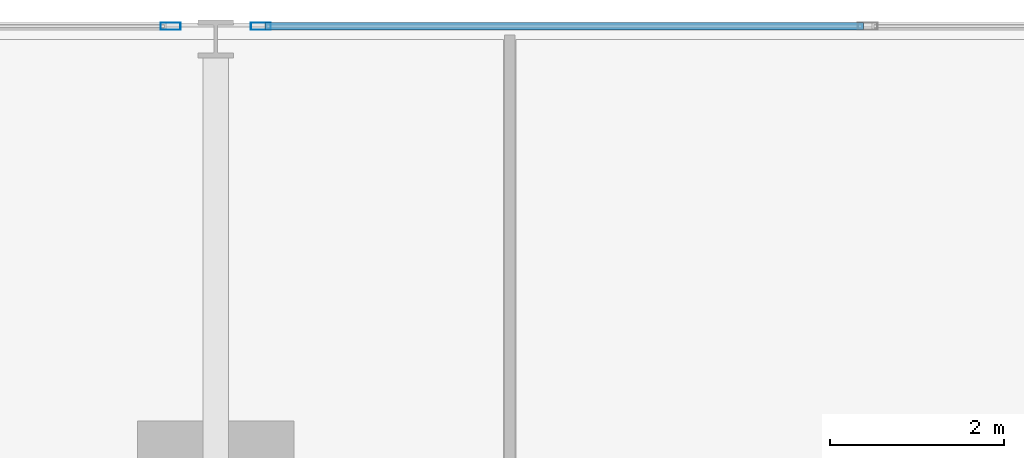
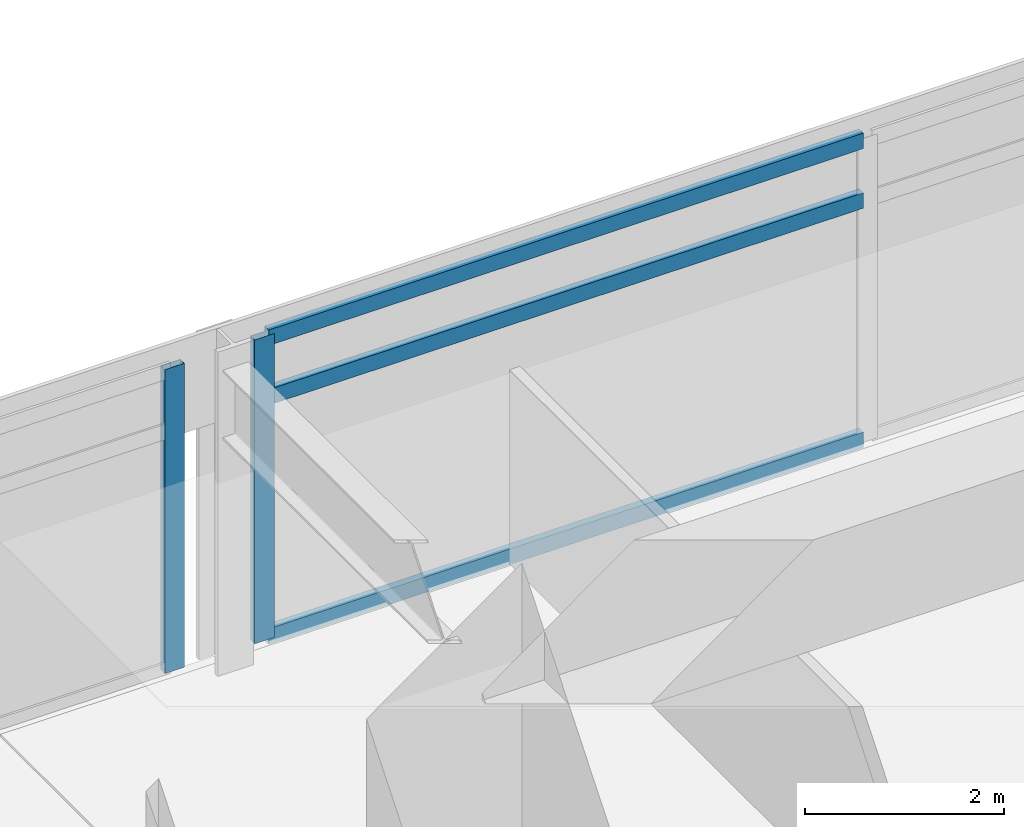
# One storey, part 8 of 22: 5 members, 2 elements without a shape of their own.
"""IFC4 building model written with IfcOpenShell, lengths in metres."""

from ifc_helpers import new_model, si_unit, direction, frame, origin, origin_2d, place, context, subcontext, project, spatial, hollow_rectangle, extrude, material, material_profile, profile_set, type_object, element, aggregate, save


model = new_model("IFC4")

# Units and contexts
model_context = context("Model", 3, precision=1e-05, world=origin(), true_north=direction((0.0, 1.0)))
body_context = subcontext(model_context, "Body", "Model", "MODEL_VIEW")
ifc_project = project(units=[si_unit("LENGTHUNIT", "METRE"), si_unit("AREAUNIT", "SQUARE_METRE"), si_unit("VOLUMEUNIT", "CUBIC_METRE"), si_unit("PLANEANGLEUNIT", "RADIAN"), si_unit("MASSUNIT", "GRAM", prefix="KILO")], contexts=[model_context])

# Site, building, storey
site_placement = place(None, origin())
site = spatial("IfcSite", under=ifc_project, at=site_placement, CompositionType="ELEMENT")
building_placement = place(site_placement, origin())
building = spatial("IfcBuilding", under=site, at=building_placement, Name="Kovane Verandah Tower", CompositionType="ELEMENT")
storey_placement = place(building_placement, frame((0.0, 0.0, 51.60009765625)))
storey = spatial("IfcBuildingStorey", under=building, at=storey_placement, Name="L11", CompositionType="ELEMENT", Elevation=51.60009765625)

# Curtain wall, member
ifc_material_1 = material(Name="Champagne Anodised Aluminium Frame with Low-E Clear Laminated Glass", Category="aluminium")
curtain_wall_type = type_object("IfcCurtainWallType", Name="CW-SYS-02-LOW", PredefinedType="NOTDEFINED", material=ifc_material_1)
curtain_wall_1_placement = place(storey_placement, origin())
curtain_wall_1 = element("IfcCurtainWall", 1, at=curtain_wall_1_placement, inside=storey, type_object=curtain_wall_type, Name="L11 N Unitised Curtain Wall-2", PredefinedType="NOTDEFINED")
ifc_material_2 = material(Name="Champagne Anodised Aluminium 6063-T6", Category="aluminium")
ifc_material_profile_1 = material_profile(ifc_material_2, hollow_rectangle(XDim=0.0849609375, YDim=0.22998046875, WallThickness=0.00390625, at=origin_2d()), Name="AL85x230x4")
ifc_profile_set_1 = profile_set([ifc_material_profile_1], Name="Champagne Anodised Aluminium 6063-T6")
member_type_1 = type_object("IfcMemberType", Name="CW-MUL-85x230", PredefinedType="MULLION", material=ifc_profile_set_1)
member_1_placement = place(storey_placement, frame((29.52001953125, 49.646240234375, 0.02001953125), z_axis=(0.0, 0.0, 1.0), x_axis=(0.0, 1.0, 0.0)))
member_1 = element("IfcMember", 2, at=member_1_placement, type_object=member_type_1, Name="L11 N Unitised Curtain Wall-2 Mullion 4", PredefinedType="MULLION", context=body_context, shape_type="SweptSolid", body=[
    extrude(hollow_rectangle(XDim=0.0849609375, YDim=0.22998046875, WallThickness=0.00390625, at=origin_2d()), origin(), (0.0, 0.0, 1.0), 3.719970703125),
])

curtain_wall_2_placement = place(storey_placement, origin())
curtain_wall_2 = element("IfcCurtainWall", 3, at=curtain_wall_2_placement, inside=storey, type_object=curtain_wall_type, Name="L11 N Unitised Curtain Wall-3", PredefinedType="NOTDEFINED")
member_2_placement = place(storey_placement, frame((28.47998046875, 49.646240234375, 0.02001953125), z_axis=(0.0, 0.0, 1.0), x_axis=(0.0, 1.0, 0.0)))
member_2 = element("IfcMember", 4, at=member_2_placement, type_object=member_type_1, Name="L11 N Unitised Curtain Wall-3 Mullion 1", PredefinedType="MULLION", context=body_context, shape_type="SweptSolid", body=[
    extrude(hollow_rectangle(XDim=0.0849609375, YDim=0.22998046875, WallThickness=0.00390625, at=origin_2d()), origin(), (0.0, 0.0, 1.0), 3.719970703125),
])
aggregate(curtain_wall_2, [member_2])

# Member
ifc_material_profile_2 = material_profile(ifc_material_2, hollow_rectangle(XDim=0.0849609375, YDim=0.18994140625, WallThickness=0.00390625, at=origin_2d()), Name="AL85x190x4")
ifc_profile_set_2 = profile_set([ifc_material_profile_2], Name="Champagne Anodised Aluminium 6063-T6")
member_type_2 = type_object("IfcMemberType", Name="CW-TRN-85x190", PredefinedType="USERDEFINED", material=ifc_profile_set_2)
member_3_placement = place(storey_placement, frame((36.456787109375, 49.646240234375, 0.0498046875), z_axis=(-1.0, 0.0, 0.0), x_axis=(0.0, -1.0, 0.0)))
member_3 = element("IfcMember", 5, at=member_3_placement, type_object=member_type_2, Name="L11 N Unitised Curtain Wall-2 Transom TB Bay 3", ObjectType="TRANSOM", PredefinedType="USERDEFINED", context=body_context, shape_type="SweptSolid", body=[
    extrude(hollow_rectangle(XDim=0.0849609375, YDim=0.18994140625, WallThickness=0.00390625, at=origin_2d()), origin(), (0.0, 0.0, 1.0), 6.88671875),
])

member_4_placement = place(storey_placement, frame((36.456787109375, 49.646240234375, 2.97998046875), z_axis=(-1.0, 0.0, 0.0), x_axis=(0.0, -1.0, 0.0)))
member_4 = element("IfcMember", 6, at=member_4_placement, type_object=member_type_2, Name="L11 N Unitised Curtain Wall-2 Transom TM Bay 3", ObjectType="TRANSOM", PredefinedType="USERDEFINED", context=body_context, shape_type="SweptSolid", body=[
    extrude(hollow_rectangle(XDim=0.0849609375, YDim=0.18994140625, WallThickness=0.00390625, at=origin_2d()), origin(), (0.0, 0.0, 1.0), 6.88671875),
])

member_5_placement = place(storey_placement, frame((36.456787109375, 49.646240234375, 3.7099609375), z_axis=(-1.0, 0.0, 0.0), x_axis=(0.0, -1.0, 0.0)))
member_5 = element("IfcMember", 7, at=member_5_placement, type_object=member_type_2, Name="L11 N Unitised Curtain Wall-2 Transom TT Bay 3", ObjectType="TRANSOM", PredefinedType="USERDEFINED", context=body_context, shape_type="SweptSolid", body=[
    extrude(hollow_rectangle(XDim=0.0849609375, YDim=0.18994140625, WallThickness=0.00390625, at=origin_2d()), origin(), (0.0, 0.0, 1.0), 6.88671875),
])

aggregate(curtain_wall_1, [member_1, member_3, member_4, member_5])

save(model, "model.ifc")
